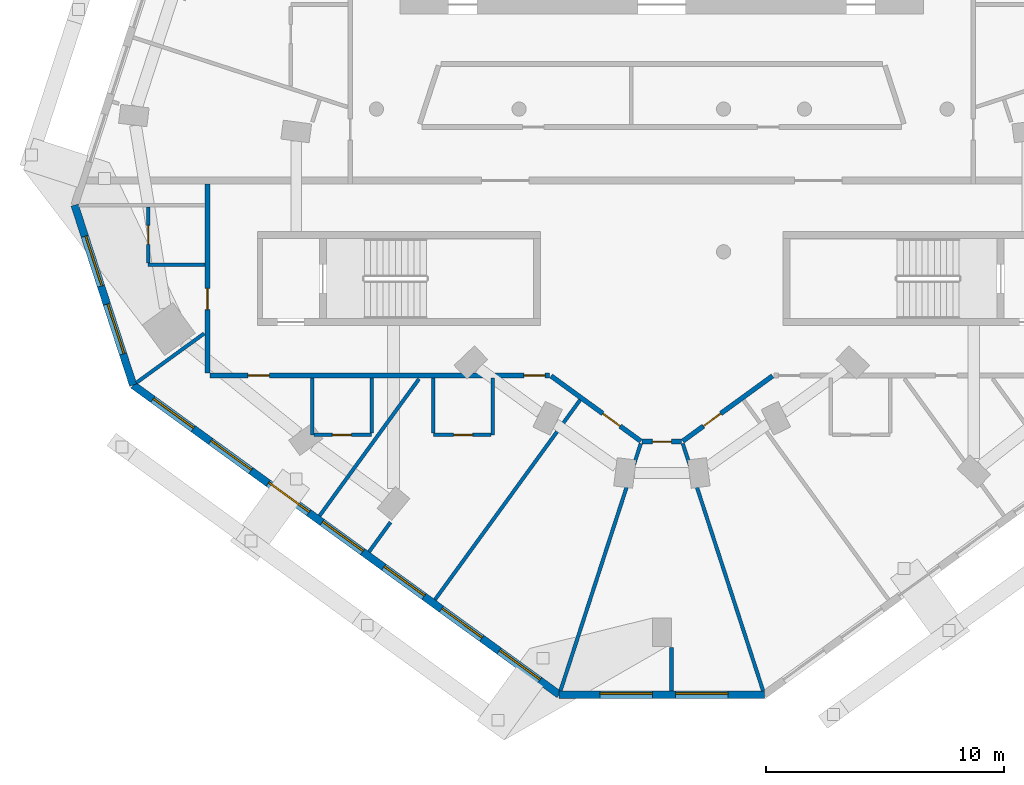
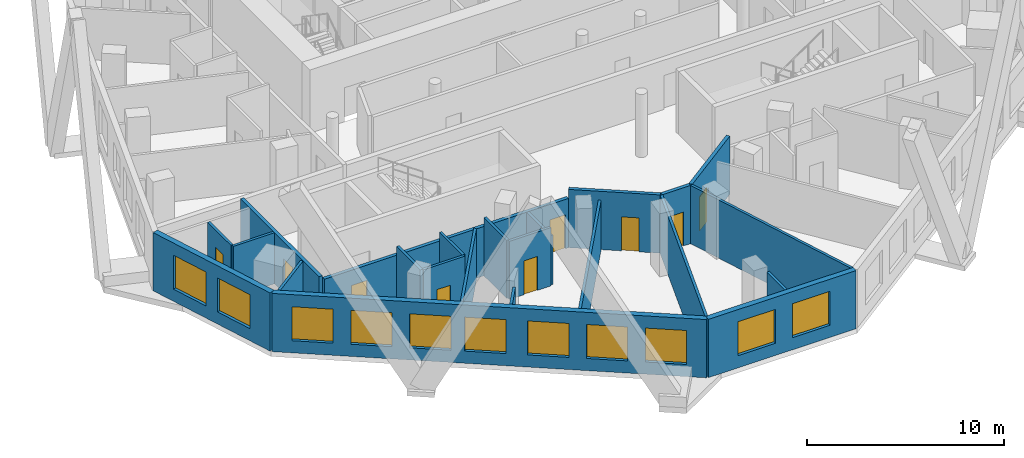
# One storey, part 3 of 10: 23 walls, 11 windows, 9 doors, 20 openings.
"""IFC4 building model written with IfcOpenShell, lengths in metres."""

from ifc_helpers import new_model, si_unit, direction, frame, frame_2d, origin, place, context, subcontext, project, spatial, rectangle, extrude, material, layer, layer_set, type_object, element, fill, save


model = new_model("IFC4")

# Units and contexts
model_context = context("Model", 3, precision=1e-05, world=origin(), true_north=direction((0.0, 1.0)))
body_context = subcontext(model_context, "Body", "Model", "MODEL_VIEW")
ifc_project = project(units=[si_unit("LENGTHUNIT", "METRE"), si_unit("AREAUNIT", "SQUARE_METRE"), si_unit("VOLUMEUNIT", "CUBIC_METRE"), si_unit("PLANEANGLEUNIT", "RADIAN"), si_unit("MASSUNIT", "GRAM", prefix="KILO")], contexts=[model_context])

# Site, building, storey
site_placement = place(None, origin())
site = spatial("IfcSite", under=ifc_project, at=site_placement, CompositionType="ELEMENT")
building_placement = place(site_placement, origin())
building = spatial("IfcBuilding", under=site, at=building_placement, Name="White Candle Pilgrim Tower", CompositionType="ELEMENT")
storey_placement = place(building_placement, frame((0.0, 0.0, 208.199951171875)))
storey = spatial("IfcBuildingStorey", under=building, at=storey_placement, Name="L48", CompositionType="ELEMENT", Elevation=208.199951171875)

# Wall, opening, door
ifc_material_1 = material(Name="Gypsum board on steel studs", Category="steel")
ifc_layer_1 = layer(ifc_material_1, 0.199951171875)
ifc_layer_set_1 = layer_set([ifc_layer_1], Name="Corridor wall 200 mm EI 45")
wall_type_1 = type_object("IfcWallType", Name="Corridor wall 200 mm EI 45", PredefinedType="PARTITIONING", material=ifc_layer_set_1)
wall_1_placement = place(storey_placement, frame((74.656494140625, 55.781005859375, 0.0), z_axis=(0.0, 0.0, 1.0), x_axis=(-0.809000756998, -0.587807600476, 0.0)))
wall_1 = element("IfcWall", 1, at=wall_1_placement, inside=storey, type_object=wall_type_1, Name="WL-L48-P006", PredefinedType="PARTITIONING", context=body_context, shape_type="SweptSolid", body=[
    extrude(rectangle(XDim=4.66552734375, YDim=0.199951171875, at=frame_2d((2.332763671875, 0.0))), origin(), (0.0, 0.0, 1.0), 3.60009765625),
])
opening_1_placement = place(wall_1_placement, frame((2.690185546875, 0.0, 0.0)))
opening_1 = element("IfcOpeningElement", 2, at=opening_1_placement, cuts=wall_1, Name="Opening T15-111", PredefinedType="OPENING", context=body_context, shape_type="SweptSolid", body=[
    extrude(rectangle(XDim=0.89990234375, YDim=2.10009765625, at=frame_2d((0.449951171875, 1.050048828125))), frame((0.0, 0.10986328125, 0.0), z_axis=(0.0, -1.0, 0.0), x_axis=(1.0, 0.0, 0.0)), (0.0, 0.0, 1.0), 0.219970703125),
])
ifc_material_2 = material(Name="Steel door leaf", Category="steel")
door_type_1 = type_object("IfcDoorType", Name="Fire door 900 x 2100 EI 30", OperationType="NOTDEFINED", PredefinedType="DOOR", material=ifc_material_2)
door_1_placement = place(opening_1_placement, origin())
door_1 = element("IfcDoor", 3, at=door_1_placement, inside=storey, type_object=door_type_1, Name="Door T15-111", OperationType="SINGLE_SWING_LEFT", OverallHeight=2.10009765625, OverallWidth=0.89990234375, PredefinedType="DOOR", context=body_context, shape_type="SweptSolid", body=[
    extrude(rectangle(XDim=0.89990234375, YDim=2.10009765625, at=frame_2d((0.449951171875, 1.050048828125))), frame((0.0, 0.02490234375, 0.0), z_axis=(0.0, -1.0, 0.0), x_axis=(1.0, 0.0, 0.0)), (0.0, 0.0, 1.0), 0.050048828125),
])
fill(opening_1, door_1)

wall_2_placement = place(storey_placement, frame((70.8232421875, 53.01953125, 0.0), z_axis=(0.0, 0.0, 1.0), x_axis=(-1.0, 0.0, 0.0)))
wall_2 = element("IfcWall", 4, at=wall_2_placement, inside=storey, type_object=wall_type_1, Name="WL-L48-P007", PredefinedType="PARTITIONING", context=body_context, shape_type="SweptSolid", body=[
    extrude(rectangle(XDim=1.646484375, YDim=0.199951171875, at=frame_2d((0.8232421875, 0.0))), origin(), (0.0, 0.0, 1.0), 3.60009765625),
])
opening_2_placement = place(wall_2_placement, frame((0.423095703125, 0.0, 0.0)))
opening_2 = element("IfcOpeningElement", 5, at=opening_2_placement, cuts=wall_2, Name="Opening T15-110", PredefinedType="OPENING", context=body_context, shape_type="SweptSolid", body=[
    extrude(rectangle(XDim=0.800048828125, YDim=2.10009765625, at=frame_2d((0.39990234375, 1.050048828125))), frame((0.0, 0.10986328125, 0.0), z_axis=(0.0, -1.0, 0.0), x_axis=(1.0, 0.0, 0.0)), (0.0, 0.0, 1.0), 0.219970703125),
])
door_type_2 = type_object("IfcDoorType", Name="Fire door 800 x 2100 EI 30", OperationType="NOTDEFINED", PredefinedType="DOOR", material=ifc_material_2)
door_2_placement = place(opening_2_placement, origin())
door_2 = element("IfcDoor", 6, at=door_2_placement, inside=storey, type_object=door_type_2, Name="Door T15-110", OperationType="SINGLE_SWING_RIGHT", OverallHeight=2.10009765625, OverallWidth=0.800048828125, PredefinedType="DOOR", context=body_context, shape_type="SweptSolid", body=[
    extrude(rectangle(XDim=0.800048828125, YDim=2.10009765625, at=frame_2d((0.39990234375, 1.050048828125))), frame((0.0, 0.02490234375, 0.0), z_axis=(0.0, -1.0, 0.0), x_axis=(1.0, 0.0, 0.0)), (0.0, 0.0, 1.0), 0.050048828125),
])
fill(opening_2, door_2)

wall_3_placement = place(storey_placement, frame((69.117919921875, 53.03857421875, 0.0), z_axis=(0.0, 0.0, 1.0), x_axis=(-0.809000756998, 0.587807600476, 0.0)))
wall_3 = element("IfcWall", 7, at=wall_3_placement, inside=storey, type_object=wall_type_1, Name="WL-L48-P008", PredefinedType="PARTITIONING", context=body_context, shape_type="SweptSolid", body=[
    extrude(rectangle(XDim=4.66552734375, YDim=0.199951171875, at=frame_2d((2.332763671875, 0.0))), origin(), (0.0, 0.0, 1.0), 3.60009765625),
])
opening_3_placement = place(wall_3_placement, frame((1.0751953125, 0.0, 0.0)))
opening_3 = element("IfcOpeningElement", 8, at=opening_3_placement, cuts=wall_3, Name="Opening T15-109", PredefinedType="OPENING", context=body_context, shape_type="SweptSolid", body=[
    extrude(rectangle(XDim=0.89990234375, YDim=2.10009765625, at=frame_2d((0.449951171875, 1.050048828125))), frame((0.0, 0.10986328125, 0.0), z_axis=(0.0, -1.0, 0.0), x_axis=(1.0, 0.0, 0.0)), (0.0, 0.0, 1.0), 0.219970703125),
])
door_3_placement = place(opening_3_placement, origin())
door_3 = element("IfcDoor", 9, at=door_3_placement, inside=storey, type_object=door_type_1, Name="Door T15-109", OperationType="SINGLE_SWING_LEFT", OverallHeight=2.10009765625, OverallWidth=0.89990234375, PredefinedType="DOOR", context=body_context, shape_type="SweptSolid", body=[
    extrude(rectangle(XDim=0.89990234375, YDim=2.10009765625, at=frame_2d((0.449951171875, 1.050048828125))), frame((0.0, 0.02490234375, 0.0), z_axis=(0.0, -1.0, 0.0), x_axis=(1.0, 0.0, 0.0)), (0.0, 0.0, 1.0), 0.050048828125),
])
fill(opening_3, door_3)

# Wall, openings, doors
wall_4_placement = place(storey_placement, frame((65.28466796875, 55.800048828125, 0.0), z_axis=(0.0, 0.0, 1.0), x_axis=(-1.0, 0.0, 0.0)))
wall_4 = element("IfcWall", 10, at=wall_4_placement, inside=storey, type_object=wall_type_1, Name="WL-L48-P009", PredefinedType="PARTITIONING", context=body_context, shape_type="SweptSolid", body=[
    extrude(rectangle(XDim=14.28466796875, YDim=0.199951171875, at=frame_2d((7.142333984375, 0.0))), origin(), (0.0, 0.0, 1.0), 3.050048828125),
])
opening_4_placement = place(wall_4_placement, frame((11.7861328125, 0.0, 0.0)))
opening_4 = element("IfcOpeningElement", 11, at=opening_4_placement, cuts=wall_4, Name="Opening T15-106", PredefinedType="OPENING", context=body_context, shape_type="SweptSolid", body=[
    extrude(rectangle(XDim=0.89990234375, YDim=2.10009765625, at=frame_2d((0.449951171875, 1.050048828125))), frame((0.0, 0.10986328125, 0.0), z_axis=(0.0, -1.0, 0.0), x_axis=(1.0, 0.0, 0.0)), (0.0, 0.0, 1.0), 0.219970703125),
])
opening_5_placement = place(wall_4_placement, frame((0.1875, 0.0, 0.0)))
opening_5 = element("IfcOpeningElement", 12, at=opening_5_placement, cuts=wall_4, Name="Opening T15-108", PredefinedType="OPENING", context=body_context, shape_type="SweptSolid", body=[
    extrude(rectangle(XDim=0.89990234375, YDim=2.10009765625, at=frame_2d((0.449951171875, 1.050048828125))), frame((0.0, 0.10986328125, 0.0), z_axis=(0.0, -1.0, 0.0), x_axis=(1.0, 0.0, 0.0)), (0.0, 0.0, 1.0), 0.219970703125),
])
door_4_placement = place(opening_4_placement, origin())
door_4 = element("IfcDoor", 13, at=door_4_placement, inside=storey, type_object=door_type_1, Name="Door T15-106", OperationType="SINGLE_SWING_RIGHT", OverallHeight=2.10009765625, OverallWidth=0.89990234375, PredefinedType="DOOR", context=body_context, shape_type="SweptSolid", body=[
    extrude(rectangle(XDim=0.89990234375, YDim=2.10009765625, at=frame_2d((0.449951171875, 1.050048828125))), frame((0.0, 0.02490234375, 0.0), z_axis=(0.0, -1.0, 0.0), x_axis=(1.0, 0.0, 0.0)), (0.0, 0.0, 1.0), 0.050048828125),
])
fill(opening_4, door_4)
door_5_placement = place(opening_5_placement, origin())
door_5 = element("IfcDoor", 14, at=door_5_placement, inside=storey, type_object=door_type_1, Name="Door T15-108", OperationType="SINGLE_SWING_RIGHT", OverallHeight=2.10009765625, OverallWidth=0.89990234375, PredefinedType="DOOR", context=body_context, shape_type="SweptSolid", body=[
    extrude(rectangle(XDim=0.89990234375, YDim=2.10009765625, at=frame_2d((0.449951171875, 1.050048828125))), frame((0.0, 0.02490234375, 0.0), z_axis=(0.0, -1.0, 0.0), x_axis=(1.0, 0.0, 0.0)), (0.0, 0.0, 1.0), 0.050048828125),
])
fill(opening_5, door_5)

# Wall, opening, door
wall_5_placement = place(storey_placement, frame((50.89990234375, 55.89990234375, 0.0), z_axis=(0.0, 0.0, 1.0), x_axis=(0.0, 1.0, 0.0)))
wall_5 = element("IfcWall", 15, at=wall_5_placement, inside=storey, type_object=wall_type_1, Name="WL-L48-P010", PredefinedType="PARTITIONING", context=body_context, shape_type="SweptSolid", body=[
    extrude(rectangle(XDim=7.9501953125, YDim=0.199951171875, at=frame_2d((3.97509765625, 0.0))), origin(), (0.0, 0.0, 1.0), 3.150146484375),
])
opening_6_placement = place(wall_5_placement, frame((2.66650390625, 0.0, 0.0)))
opening_6 = element("IfcOpeningElement", 16, at=opening_6_placement, cuts=wall_5, Name="Opening T15-104", PredefinedType="OPENING", context=body_context, shape_type="SweptSolid", body=[
    extrude(rectangle(XDim=0.89990234375, YDim=2.10009765625, at=frame_2d((0.449951171875, 1.050048828125))), frame((0.0, 0.10986328125, 0.0), z_axis=(0.0, -1.0, 0.0), x_axis=(1.0, 0.0, 0.0)), (0.0, 0.0, 1.0), 0.219970703125),
])
door_6_placement = place(opening_6_placement, origin())
door_6 = element("IfcDoor", 17, at=door_6_placement, inside=storey, type_object=door_type_1, Name="Door T15-104", OperationType="SINGLE_SWING_RIGHT", OverallHeight=2.10009765625, OverallWidth=0.89990234375, PredefinedType="DOOR", context=body_context, shape_type="SweptSolid", body=[
    extrude(rectangle(XDim=0.89990234375, YDim=2.10009765625, at=frame_2d((0.449951171875, 1.050048828125))), frame((0.0, 0.02490234375, 0.0), z_axis=(0.0, -1.0, 0.0), x_axis=(1.0, 0.0, 0.0)), (0.0, 0.0, 1.0), 0.050048828125),
])
fill(opening_6, door_6)

# Wall, openings, windows
ifc_material_3 = material(Name="Precast concrete C40/50", Category="concrete")
ifc_layer_2 = layer(ifc_material_3, 0.320068359375)
ifc_layer_set_2 = layer_set([ifc_layer_2], Name="Facade wall EW1 precast concrete C40/50 pier wall with timber-lined reveals")
wall_type_2 = type_object("IfcWallType", Name="Facade wall EW1 precast concrete C40/50 pier wall with timber-lined reveals", PredefinedType="SOLIDWALL", material=ifc_layer_set_2)
wall_6_placement = place(storey_placement, frame((45.312255859375, 62.96337890625, 0.0), z_axis=(0.0, 0.0, 1.0), x_axis=(0.309020158762, -0.951055488118, 0.0)))
wall_6 = element("IfcWall", 18, at=wall_6_placement, inside=storey, type_object=wall_type_2, Name="Facade wall L48 W chamfer", PredefinedType="SOLIDWALL", context=body_context, shape_type="SweptSolid", body=[
    extrude(rectangle(XDim=7.95654296875, YDim=0.320068359375, at=frame_2d((3.978271484375, 0.0))), origin(), (0.0, 0.0, 1.0), 3.60009765625),
])
opening_7_placement = place(wall_6_placement, frame((1.378173828125, 0.0, 0.75)))
opening_7 = element("IfcOpeningElement", 19, at=opening_7_placement, cuts=wall_6, Name="Opening W4", PredefinedType="OPENING", context=body_context, shape_type="SweptSolid", body=[
    extrude(rectangle(XDim=2.199951171875, YDim=2.10009765625, at=frame_2d((1.10009765625, 1.050048828125))), frame((0.0, 0.169921875, 0.0), z_axis=(0.0, -1.0, 0.0), x_axis=(1.0, 0.0, 0.0)), (0.0, 0.0, 1.0), 0.340087890625),
])
opening_8_placement = place(wall_6_placement, frame((4.378173828125, 0.0, 0.75)))
opening_8 = element("IfcOpeningElement", 20, at=opening_8_placement, cuts=wall_6, Name="Opening W4", PredefinedType="OPENING", context=body_context, shape_type="SweptSolid", body=[
    extrude(rectangle(XDim=2.199951171875, YDim=2.10009765625, at=frame_2d((1.10009765625, 1.050048828125))), frame((0.0, 0.169921875, 0.0), z_axis=(0.0, -1.0, 0.0), x_axis=(1.0, 0.0, 0.0)), (0.0, 0.0, 1.0), 0.340087890625),
])
ifc_material_4 = material(Name="Timber frame with triple glazing", Category="wood")
window_type_1 = type_object("IfcWindowType", Name="Window W4 2200x2100 timber frame triple glazing", PartitioningType="SINGLE_PANEL", PredefinedType="WINDOW", material=ifc_material_4)
window_1_placement = place(opening_7_placement, origin())
window_1 = element("IfcWindow", 21, at=window_1_placement, inside=storey, type_object=window_type_1, Name="Window W4 L48 W chamfer 1", OverallHeight=2.10009765625, OverallWidth=2.199951171875, PartitioningType="SINGLE_PANEL", PredefinedType="WINDOW", context=body_context, shape_type="SweptSolid", body=[
    extrude(rectangle(XDim=2.199951171875, YDim=2.10009765625, at=frame_2d((1.10009765625, 1.050048828125))), frame((0.0, 0.070068359375, 0.0), z_axis=(0.0, -1.0, 0.0), x_axis=(1.0, 0.0, 0.0)), (0.0, 0.0, 1.0), 0.06005859375),
])
fill(opening_7, window_1)
window_2_placement = place(opening_8_placement, origin())
window_2 = element("IfcWindow", 22, at=window_2_placement, inside=storey, type_object=window_type_1, Name="Window W4 L48 W chamfer 2", OverallHeight=2.10009765625, OverallWidth=2.199951171875, PartitioningType="SINGLE_PANEL", PredefinedType="WINDOW", context=body_context, shape_type="SweptSolid", body=[
    extrude(rectangle(XDim=2.199951171875, YDim=2.10009765625, at=frame_2d((1.10009765625, 1.050048828125))), frame((0.0, 0.070068359375, 0.0), z_axis=(0.0, -1.0, 0.0), x_axis=(1.0, 0.0, 0.0)), (0.0, 0.0, 1.0), 0.06005859375),
])
fill(opening_8, window_2)

wall_7_placement = place(storey_placement, frame((47.77099609375, 55.396240234375, 0.0), z_axis=(0.0, 0.0, 1.0), x_axis=(0.809018689846, -0.587782918669, 0.0)))
wall_7 = element("IfcWall", 23, at=wall_7_placement, inside=storey, type_object=wall_type_2, Name="Facade wall L48 SW", PredefinedType="SOLIDWALL", context=body_context, shape_type="SweptSolid", body=[
    extrude(rectangle(XDim=22.145751953125, YDim=0.320068359375, at=frame_2d((11.07275390625, 0.0))), origin(), (0.0, 0.0, 1.0), 3.60009765625),
])
opening_9_placement = place(wall_7_placement, frame((1.022705078125, 0.0, 0.75)))
opening_9 = element("IfcOpeningElement", 24, at=opening_9_placement, cuts=wall_7, Name="Opening W3", PredefinedType="OPENING", context=body_context, shape_type="SweptSolid", body=[
    extrude(rectangle(XDim=2.10009765625, YDim=2.10009765625, at=frame_2d((1.050048828125, 1.050048828125))), frame((0.0, 0.169921875, 0.0), z_axis=(0.0, -1.0, 0.0), x_axis=(1.0, 0.0, 0.0)), (0.0, 0.0, 1.0), 0.340087890625),
])
opening_10_placement = place(wall_7_placement, frame((4.022705078125, 0.0, 0.75)))
opening_10 = element("IfcOpeningElement", 25, at=opening_10_placement, cuts=wall_7, Name="Opening W3", PredefinedType="OPENING", context=body_context, shape_type="SweptSolid", body=[
    extrude(rectangle(XDim=2.10009765625, YDim=2.10009765625, at=frame_2d((1.050048828125, 1.050048828125))), frame((0.0, 0.169921875, 0.0), z_axis=(0.0, -1.0, 0.0), x_axis=(1.0, 0.0, 0.0)), (0.0, 0.0, 1.0), 0.340087890625),
])
opening_11_placement = place(wall_7_placement, frame((7.022705078125, 0.0, 0.75)))
opening_11 = element("IfcOpeningElement", 26, at=opening_11_placement, cuts=wall_7, Name="Opening W3", PredefinedType="OPENING", context=body_context, shape_type="SweptSolid", body=[
    extrude(rectangle(XDim=2.10009765625, YDim=2.10009765625, at=frame_2d((1.050048828125, 1.050048828125))), frame((0.0, 0.169921875, 0.0), z_axis=(0.0, -1.0, 0.0), x_axis=(1.0, 0.0, 0.0)), (0.0, 0.0, 1.0), 0.340087890625),
])
opening_12_placement = place(wall_7_placement, frame((9.82275390625, 0.0, 0.75)))
opening_12 = element("IfcOpeningElement", 27, at=opening_12_placement, cuts=wall_7, Name="Opening W3", PredefinedType="OPENING", context=body_context, shape_type="SweptSolid", body=[
    extrude(rectangle(XDim=2.10009765625, YDim=2.10009765625, at=frame_2d((1.050048828125, 1.050048828125))), frame((0.0, 0.169921875, 0.0), z_axis=(0.0, -1.0, 0.0), x_axis=(1.0, 0.0, 0.0)), (0.0, 0.0, 1.0), 0.340087890625),
])
opening_13_placement = place(wall_7_placement, frame((13.022705078125, 0.0, 0.75)))
opening_13 = element("IfcOpeningElement", 28, at=opening_13_placement, cuts=wall_7, Name="Opening W3", PredefinedType="OPENING", context=body_context, shape_type="SweptSolid", body=[
    extrude(rectangle(XDim=2.10009765625, YDim=2.10009765625, at=frame_2d((1.050048828125, 1.050048828125))), frame((0.0, 0.169921875, 0.0), z_axis=(0.0, -1.0, 0.0), x_axis=(1.0, 0.0, 0.0)), (0.0, 0.0, 1.0), 0.340087890625),
])
opening_14_placement = place(wall_7_placement, frame((16.022705078125, 0.0, 0.75)))
opening_14 = element("IfcOpeningElement", 29, at=opening_14_placement, cuts=wall_7, Name="Opening W3", PredefinedType="OPENING", context=body_context, shape_type="SweptSolid", body=[
    extrude(rectangle(XDim=2.10009765625, YDim=2.10009765625, at=frame_2d((1.050048828125, 1.050048828125))), frame((0.0, 0.169921875, 0.0), z_axis=(0.0, -1.0, 0.0), x_axis=(1.0, 0.0, 0.0)), (0.0, 0.0, 1.0), 0.340087890625),
])
opening_15_placement = place(wall_7_placement, frame((19.022705078125, 0.0, 0.75)))
opening_15 = element("IfcOpeningElement", 30, at=opening_15_placement, cuts=wall_7, Name="Opening W3", PredefinedType="OPENING", context=body_context, shape_type="SweptSolid", body=[
    extrude(rectangle(XDim=2.10009765625, YDim=2.10009765625, at=frame_2d((1.050048828125, 1.050048828125))), frame((0.0, 0.169921875, 0.0), z_axis=(0.0, -1.0, 0.0), x_axis=(1.0, 0.0, 0.0)), (0.0, 0.0, 1.0), 0.340087890625),
])
window_type_2 = type_object("IfcWindowType", Name="Window W3 2100x2100 timber frame triple glazing", PartitioningType="SINGLE_PANEL", PredefinedType="WINDOW", material=ifc_material_4)
window_3_placement = place(opening_9_placement, origin())
window_3 = element("IfcWindow", 31, at=window_3_placement, inside=storey, type_object=window_type_2, Name="Window W3 L48 SW 1", OverallHeight=2.10009765625, OverallWidth=2.10009765625, PartitioningType="SINGLE_PANEL", PredefinedType="WINDOW", context=body_context, shape_type="SweptSolid", body=[
    extrude(rectangle(XDim=2.10009765625, YDim=2.10009765625, at=frame_2d((1.050048828125, 1.050048828125))), frame((0.0, 0.070068359375, 0.0), z_axis=(0.0, -1.0, 0.0), x_axis=(1.0, 0.0, 0.0)), (0.0, 0.0, 1.0), 0.06005859375),
])
fill(opening_9, window_3)
window_4_placement = place(opening_10_placement, origin())
window_4 = element("IfcWindow", 32, at=window_4_placement, inside=storey, type_object=window_type_2, Name="Window W3 L48 SW 2", OverallHeight=2.10009765625, OverallWidth=2.10009765625, PartitioningType="SINGLE_PANEL", PredefinedType="WINDOW", context=body_context, shape_type="SweptSolid", body=[
    extrude(rectangle(XDim=2.10009765625, YDim=2.10009765625, at=frame_2d((1.050048828125, 1.050048828125))), frame((0.0, 0.070068359375, 0.0), z_axis=(0.0, -1.0, 0.0), x_axis=(1.0, 0.0, 0.0)), (0.0, 0.0, 1.0), 0.06005859375),
])
fill(opening_10, window_4)
window_5_placement = place(opening_11_placement, origin())
window_5 = element("IfcWindow", 33, at=window_5_placement, inside=storey, type_object=window_type_2, Name="Window W3 L48 SW 3", OverallHeight=2.10009765625, OverallWidth=2.10009765625, PartitioningType="SINGLE_PANEL", PredefinedType="WINDOW", context=body_context, shape_type="SweptSolid", body=[
    extrude(rectangle(XDim=2.10009765625, YDim=2.10009765625, at=frame_2d((1.050048828125, 1.050048828125))), frame((0.0, 0.070068359375, 0.0), z_axis=(0.0, -1.0, 0.0), x_axis=(1.0, 0.0, 0.0)), (0.0, 0.0, 1.0), 0.06005859375),
])
fill(opening_11, window_5)
window_6_placement = place(opening_12_placement, origin())
window_6 = element("IfcWindow", 34, at=window_6_placement, inside=storey, type_object=window_type_2, Name="Window W3 L48 SW 4", OverallHeight=2.10009765625, OverallWidth=2.10009765625, PartitioningType="SINGLE_PANEL", PredefinedType="WINDOW", context=body_context, shape_type="SweptSolid", body=[
    extrude(rectangle(XDim=2.10009765625, YDim=2.10009765625, at=frame_2d((1.050048828125, 1.050048828125))), frame((0.0, 0.070068359375, 0.0), z_axis=(0.0, -1.0, 0.0), x_axis=(1.0, 0.0, 0.0)), (0.0, 0.0, 1.0), 0.06005859375),
])
fill(opening_12, window_6)
window_7_placement = place(opening_13_placement, origin())
window_7 = element("IfcWindow", 35, at=window_7_placement, inside=storey, type_object=window_type_2, Name="Window W3 L48 SW 5", OverallHeight=2.10009765625, OverallWidth=2.10009765625, PartitioningType="SINGLE_PANEL", PredefinedType="WINDOW", context=body_context, shape_type="SweptSolid", body=[
    extrude(rectangle(XDim=2.10009765625, YDim=2.10009765625, at=frame_2d((1.050048828125, 1.050048828125))), frame((0.0, 0.070068359375, 0.0), z_axis=(0.0, -1.0, 0.0), x_axis=(1.0, 0.0, 0.0)), (0.0, 0.0, 1.0), 0.06005859375),
])
fill(opening_13, window_7)
window_8_placement = place(opening_14_placement, origin())
window_8 = element("IfcWindow", 36, at=window_8_placement, inside=storey, type_object=window_type_2, Name="Window W3 L48 SW 6", OverallHeight=2.10009765625, OverallWidth=2.10009765625, PartitioningType="SINGLE_PANEL", PredefinedType="WINDOW", context=body_context, shape_type="SweptSolid", body=[
    extrude(rectangle(XDim=2.10009765625, YDim=2.10009765625, at=frame_2d((1.050048828125, 1.050048828125))), frame((0.0, 0.070068359375, 0.0), z_axis=(0.0, -1.0, 0.0), x_axis=(1.0, 0.0, 0.0)), (0.0, 0.0, 1.0), 0.06005859375),
])
fill(opening_14, window_8)
window_9_placement = place(opening_15_placement, origin())
window_9 = element("IfcWindow", 37, at=window_9_placement, inside=storey, type_object=window_type_2, Name="Window W3 L48 SW 7", OverallHeight=2.10009765625, OverallWidth=2.10009765625, PartitioningType="SINGLE_PANEL", PredefinedType="WINDOW", context=body_context, shape_type="SweptSolid", body=[
    extrude(rectangle(XDim=2.10009765625, YDim=2.10009765625, at=frame_2d((1.050048828125, 1.050048828125))), frame((0.0, 0.070068359375, 0.0), z_axis=(0.0, -1.0, 0.0), x_axis=(1.0, 0.0, 0.0)), (0.0, 0.0, 1.0), 0.06005859375),
])
fill(opening_15, window_9)

wall_8_placement = place(storey_placement, frame((65.687255859375, 42.37939453125, 0.0), z_axis=(0.0, 0.0, 1.0), x_axis=(1.0, 0.0, 0.0)))
wall_8 = element("IfcWall", 38, at=wall_8_placement, inside=storey, type_object=wall_type_2, Name="Facade wall L48 S chamfer", PredefinedType="SOLIDWALL", context=body_context, shape_type="SweptSolid", body=[
    extrude(rectangle(XDim=8.62548828125, YDim=0.320068359375, at=frame_2d((4.312744140625, 0.0))), origin(), (0.0, 0.0, 1.0), 3.60009765625),
])
opening_16_placement = place(wall_8_placement, frame((1.712890625, 0.0, 0.75)))
opening_16 = element("IfcOpeningElement", 39, at=opening_16_placement, cuts=wall_8, Name="Opening W4", PredefinedType="OPENING", context=body_context, shape_type="SweptSolid", body=[
    extrude(rectangle(XDim=2.199951171875, YDim=2.10009765625, at=frame_2d((1.10009765625, 1.050048828125))), frame((0.0, 0.169921875, 0.0), z_axis=(0.0, -1.0, 0.0), x_axis=(1.0, 0.0, 0.0)), (0.0, 0.0, 1.0), 0.340087890625),
])
opening_17_placement = place(wall_8_placement, frame((4.89794921875, 0.0, 0.75)))
opening_17 = element("IfcOpeningElement", 40, at=opening_17_placement, cuts=wall_8, Name="Opening W4", PredefinedType="OPENING", context=body_context, shape_type="SweptSolid", body=[
    extrude(rectangle(XDim=2.199951171875, YDim=2.10009765625, at=frame_2d((1.10009765625, 1.050048828125))), frame((0.0, 0.169921875, 0.0), z_axis=(0.0, -1.0, 0.0), x_axis=(1.0, 0.0, 0.0)), (0.0, 0.0, 1.0), 0.340087890625),
])
window_10_placement = place(opening_16_placement, origin())
window_10 = element("IfcWindow", 41, at=window_10_placement, inside=storey, type_object=window_type_1, Name="Window W4 L48 S chamfer 1", OverallHeight=2.10009765625, OverallWidth=2.199951171875, PartitioningType="SINGLE_PANEL", PredefinedType="WINDOW", context=body_context, shape_type="SweptSolid", body=[
    extrude(rectangle(XDim=2.199951171875, YDim=2.10009765625, at=frame_2d((1.10009765625, 1.050048828125))), frame((0.0, 0.070068359375, 0.0), z_axis=(0.0, -1.0, 0.0), x_axis=(1.0, 0.0, 0.0)), (0.0, 0.0, 1.0), 0.06005859375),
])
fill(opening_16, window_10)
window_11_placement = place(opening_17_placement, origin())
window_11 = element("IfcWindow", 42, at=window_11_placement, inside=storey, type_object=window_type_1, Name="Window W4 L48 S chamfer 2", OverallHeight=2.10009765625, OverallWidth=2.199951171875, PartitioningType="SINGLE_PANEL", PredefinedType="WINDOW", context=body_context, shape_type="SweptSolid", body=[
    extrude(rectangle(XDim=2.199951171875, YDim=2.10009765625, at=frame_2d((1.10009765625, 1.050048828125))), frame((0.0, 0.070068359375, 0.0), z_axis=(0.0, -1.0, 0.0), x_axis=(1.0, 0.0, 0.0)), (0.0, 0.0, 1.0), 0.06005859375),
])
fill(opening_17, window_11)

# Walls
ifc_layer_3 = layer(ifc_material_1, 0.14990234375)
ifc_layer_set_3 = layer_set([ifc_layer_3], Name="Partition 150 mm EI 60")
wall_type_3 = type_object("IfcWallType", Name="Partition 150 mm EI 60", PredefinedType="PARTITIONING", material=ifc_layer_set_3)
wall_9_placement = place(storey_placement, frame((47.906982421875, 55.4951171875, 0.0), z_axis=(0.0, 0.0, 1.0), x_axis=(0.809017810654, 0.587784128779, 0.0)))
element("IfcWall", 43, at=wall_9_placement, inside=storey, type_object=wall_type_3, Name="WL-L48-P017", PredefinedType="PARTITIONING", context=body_context, shape_type="SweptSolid", body=[
    extrude(rectangle(XDim=3.521484375, YDim=0.14990234375, at=frame_2d((1.7607421875, 0.0))), origin(), (0.0, 0.0, 1.0), 3.150146484375),
])
for number, where, z_axis, x_axis, name in (
    (44, (65.739013671875, 42.53955078125, 0.0), (0.0, 0.0, 1.0), (0.309017914069, 0.951056217468, 0.0), "WL-L48-P018"),
    (45, (74.260986328125, 42.53955078125, 0.0), (0.0, 0.0, 1.0), (-0.309017914069, 0.951056217468, 0.0), "WL-L48-P019"),
):
    element("IfcWall", number, at=place(storey_placement, frame(where, z_axis=z_axis, x_axis=x_axis)), inside=storey, type_object=wall_type_3, Name=name, PredefinedType="PARTITIONING", context=body_context, shape_type="SweptSolid", body=[
        extrude(rectangle(XDim=10.934326171875, YDim=0.14990234375, at=frame_2d((5.46728515625, 0.0))), origin(), (0.0, 0.0, 1.0), 3.60009765625),
    ])
wall_10_placement = place(storey_placement, frame((50.800048828125, 60.46337890625, 0.0), z_axis=(0.0, 0.0, 1.0), x_axis=(-1.0, 0.0, 0.0)))
element("IfcWall", 46, at=wall_10_placement, inside=storey, type_object=wall_type_3, Name="WL-L48-P031", PredefinedType="PARTITIONING", context=body_context, shape_type="SweptSolid", body=[
    extrude(rectangle(XDim=2.400146484375, YDim=0.14990234375, at=frame_2d((1.2001953125, 0.0))), origin(), (0.0, 0.0, 1.0), 3.150146484375),
])

# Wall, opening, door
wall_11_placement = place(storey_placement, frame((48.39990234375, 62.88818359375, 0.0), z_axis=(0.0, 0.0, 1.0), x_axis=(0.0, -1.0, 0.0)))
wall_11 = element("IfcWall", 47, at=wall_11_placement, inside=storey, type_object=wall_type_3, Name="WL-L48-P032", PredefinedType="PARTITIONING", context=body_context, shape_type="SweptSolid", body=[
    extrude(rectangle(XDim=2.349853515625, YDim=0.14990234375, at=frame_2d((1.1748046875, 0.0))), origin(), (0.0, 0.0, 1.0), 3.150146484375),
])
opening_18_placement = place(wall_11_placement, frame((0.77490234375, 0.0, 0.0)))
opening_18 = element("IfcOpeningElement", 48, at=opening_18_placement, cuts=wall_11, Name="Opening T15-103", PredefinedType="OPENING", context=body_context, shape_type="SweptSolid", body=[
    extrude(rectangle(XDim=0.800048828125, YDim=2.10009765625, at=frame_2d((0.39990234375, 1.050048828125))), frame((0.0, 0.0849609375, 0.0), z_axis=(0.0, -1.0, 0.0), x_axis=(1.0, 0.0, 0.0)), (0.0, 0.0, 1.0), 0.169921875),
])
door_7_placement = place(opening_18_placement, frame((0.800048828125, 0.0, 0.0), z_axis=(0.0, 0.0, 1.0), x_axis=(-1.0, 0.0, 0.0)))
door_7 = element("IfcDoor", 49, at=door_7_placement, inside=storey, type_object=door_type_2, Name="Door T15-103", OperationType="SINGLE_SWING_RIGHT", OverallHeight=2.10009765625, OverallWidth=0.800048828125, PredefinedType="DOOR", context=body_context, shape_type="SweptSolid", body=[
    extrude(rectangle(XDim=0.800048828125, YDim=2.10009765625, at=frame_2d((0.39990234375, 1.050048828125))), frame((0.0, 0.02490234375, 0.0), z_axis=(0.0, -1.0, 0.0), x_axis=(1.0, 0.0, 0.0)), (0.0, 0.0, 1.0), 0.050048828125),
])
fill(opening_18, door_7)

# Walls
wall_12_placement = place(storey_placement, frame((55.609619140625, 49.89892578125, 0.0), z_axis=(0.0, 0.0, 1.0), x_axis=(0.587771793652, 0.809026772479, 0.0)))
element("IfcWall", 50, at=wall_12_placement, inside=storey, type_object=wall_type_3, Name="WL-L48-P033", PredefinedType="PARTITIONING", context=body_context, shape_type="SweptSolid", body=[
    extrude(rectangle(XDim=7.115966796875, YDim=0.14990234375, at=frame_2d((3.55810546875, 0.0))), origin(), (0.0, 0.0, 1.0), 3.150146484375),
])
wall_13_placement = place(storey_placement, frame((60.463623046875, 46.372314453125, 0.0), z_axis=(0.0, 0.0, 1.0), x_axis=(0.58778704822, 0.809015689554, 0.0)))
element("IfcWall", 51, at=wall_13_placement, inside=storey, type_object=wall_type_3, Name="WL-L48-P034", PredefinedType="PARTITIONING", context=body_context, shape_type="SweptSolid", body=[
    extrude(rectangle(XDim=10.380126953125, YDim=0.14990234375, at=frame_2d((5.18994140625, 0.0))), origin(), (0.0, 0.0, 1.0), 3.050048828125),
])
wall_14_placement = place(storey_placement, frame((55.296875, 55.699951171875, 0.0), z_axis=(0.0, 0.0, 1.0), x_axis=(0.0, -1.0, 0.0)))
element("IfcWall", 52, at=wall_14_placement, inside=storey, type_object=wall_type_3, Name="WL-L48-P035", PredefinedType="PARTITIONING", context=body_context, shape_type="SweptSolid", body=[
    extrude(rectangle(XDim=2.39990234375, YDim=0.14990234375, at=frame_2d((1.199951171875, 0.0))), origin(), (0.0, 0.0, 1.0), 3.60009765625),
])

# Wall, opening, door
wall_15_placement = place(storey_placement, frame((57.796875, 53.300048828125, 0.0), z_axis=(0.0, 0.0, 1.0), x_axis=(-1.0, 0.0, 0.0)))
wall_15 = element("IfcWall", 53, at=wall_15_placement, inside=storey, type_object=wall_type_3, Name="WL-L48-P036", PredefinedType="PARTITIONING", context=body_context, shape_type="SweptSolid", body=[
    extrude(rectangle(XDim=2.425048828125, YDim=0.14990234375, at=frame_2d((1.21240234375, 0.0))), origin(), (0.0, 0.0, 1.0), 3.60009765625),
])
opening_19_placement = place(wall_15_placement, frame((0.85009765625, 0.0, 0.0)))
opening_19 = element("IfcOpeningElement", 54, at=opening_19_placement, cuts=wall_15, Name="Opening T15-105", PredefinedType="OPENING", context=body_context, shape_type="SweptSolid", body=[
    extrude(rectangle(XDim=0.800048828125, YDim=2.10009765625, at=frame_2d((0.39990234375, 1.050048828125))), frame((0.0, 0.0849609375, 0.0), z_axis=(0.0, -1.0, 0.0), x_axis=(1.0, 0.0, 0.0)), (0.0, 0.0, 1.0), 0.169921875),
])
door_8_placement = place(opening_19_placement, origin())
door_8 = element("IfcDoor", 55, at=door_8_placement, inside=storey, type_object=door_type_2, Name="Door T15-105", OperationType="SINGLE_SWING_LEFT", OverallHeight=2.10009765625, OverallWidth=0.800048828125, PredefinedType="DOOR", context=body_context, shape_type="SweptSolid", body=[
    extrude(rectangle(XDim=0.800048828125, YDim=2.10009765625, at=frame_2d((0.39990234375, 1.050048828125))), frame((0.0, 0.02490234375, 0.0), z_axis=(0.0, -1.0, 0.0), x_axis=(1.0, 0.0, 0.0)), (0.0, 0.0, 1.0), 0.050048828125),
])
fill(opening_19, door_8)

# Walls
wall_16_placement = place(storey_placement, frame((57.796875, 55.699951171875, 0.0), z_axis=(0.0, 0.0, 1.0), x_axis=(0.0, -1.0, 0.0)))
element("IfcWall", 56, at=wall_16_placement, inside=storey, type_object=wall_type_3, Name="WL-L48-P037", PredefinedType="PARTITIONING", context=body_context, shape_type="SweptSolid", body=[
    extrude(rectangle(XDim=2.324951171875, YDim=0.14990234375, at=frame_2d((1.16259765625, 0.0))), origin(), (0.0, 0.0, 1.0), 3.60009765625),
])
wall_17_placement = place(storey_placement, frame((62.89697265625, 55.699951171875, 0.0), z_axis=(0.0, 0.0, 1.0), x_axis=(0.0, -1.0, 0.0)))
element("IfcWall", 57, at=wall_17_placement, inside=storey, type_object=wall_type_3, Name="WL-L48-P038", PredefinedType="PARTITIONING", context=body_context, shape_type="SweptSolid", body=[
    extrude(rectangle(XDim=2.39990234375, YDim=0.14990234375, at=frame_2d((1.199951171875, 0.0))), origin(), (0.0, 0.0, 1.0), 3.050048828125),
])

# Wall, opening, door
wall_18_placement = place(storey_placement, frame((60.39697265625, 53.300048828125, 0.0), z_axis=(0.0, 0.0, 1.0), x_axis=(1.0, 0.0, 0.0)))
wall_18 = element("IfcWall", 58, at=wall_18_placement, inside=storey, type_object=wall_type_3, Name="WL-L48-P039", PredefinedType="PARTITIONING", context=body_context, shape_type="SweptSolid", body=[
    extrude(rectangle(XDim=2.425048828125, YDim=0.14990234375, at=frame_2d((1.21240234375, 0.0))), origin(), (0.0, 0.0, 1.0), 3.60009765625),
])
opening_20_placement = place(wall_18_placement, frame((0.85009765625, 0.0, 0.0)))
opening_20 = element("IfcOpeningElement", 59, at=opening_20_placement, cuts=wall_18, Name="Opening T15-107", PredefinedType="OPENING", context=body_context, shape_type="SweptSolid", body=[
    extrude(rectangle(XDim=0.800048828125, YDim=2.10009765625, at=frame_2d((0.39990234375, 1.050048828125))), frame((0.0, 0.0849609375, 0.0), z_axis=(0.0, -1.0, 0.0), x_axis=(1.0, 0.0, 0.0)), (0.0, 0.0, 1.0), 0.169921875),
])
door_9_placement = place(opening_20_placement, frame((0.800048828125, 0.0, 0.0), z_axis=(0.0, 0.0, 1.0), x_axis=(-1.0, 0.0, 0.0)))
door_9 = element("IfcDoor", 60, at=door_9_placement, inside=storey, type_object=door_type_2, Name="Door T15-107", OperationType="SINGLE_SWING_RIGHT", OverallHeight=2.10009765625, OverallWidth=0.800048828125, PredefinedType="DOOR", context=body_context, shape_type="SweptSolid", body=[
    extrude(rectangle(XDim=0.800048828125, YDim=2.10009765625, at=frame_2d((0.39990234375, 1.050048828125))), frame((0.0, 0.02490234375, 0.0), z_axis=(0.0, -1.0, 0.0), x_axis=(1.0, 0.0, 0.0)), (0.0, 0.0, 1.0), 0.050048828125),
])
fill(opening_20, door_9)

# Walls
wall_19_placement = place(storey_placement, frame((60.39697265625, 55.699951171875, 0.0), z_axis=(0.0, 0.0, 1.0), x_axis=(0.0, -1.0, 0.0)))
element("IfcWall", 61, at=wall_19_placement, inside=storey, type_object=wall_type_3, Name="WL-L48-P040", PredefinedType="PARTITIONING", context=body_context, shape_type="SweptSolid", body=[
    extrude(rectangle(XDim=2.324951171875, YDim=0.14990234375, at=frame_2d((1.16259765625, 0.0))), origin(), (0.0, 0.0, 1.0), 3.60009765625),
])
wall_20_placement = place(storey_placement, frame((58.593505859375, 49.628662109375, 0.0), z_axis=(0.0, 0.0, 1.0), x_axis=(-0.587793387923, -0.809011083431, 0.0)))
element("IfcWall", 62, at=wall_20_placement, inside=storey, type_object=wall_type_3, Name="WL-L48-P055", PredefinedType="PARTITIONING", context=body_context, shape_type="SweptSolid", body=[
    extrude(rectangle(XDim=1.53515625, YDim=0.14990234375, at=frame_2d((0.767578125, 0.0))), origin(), (0.0, 0.0, 1.0), 3.60009765625),
])
wall_21_placement = place(storey_placement, frame((70.409912109375, 44.3701171875, 0.0), z_axis=(0.0, 0.0, 1.0), x_axis=(0.0, -1.0, 0.0)))
element("IfcWall", 63, at=wall_21_placement, inside=storey, type_object=wall_type_3, Name="WL-L48-P056", PredefinedType="PARTITIONING", context=body_context, shape_type="SweptSolid", body=[
    extrude(rectangle(XDim=1.83056640625, YDim=0.14990234375, at=frame_2d((0.915283203125, 0.0))), origin(), (0.0, 0.0, 1.0), 3.60009765625),
])

save(model, "model.ifc")
